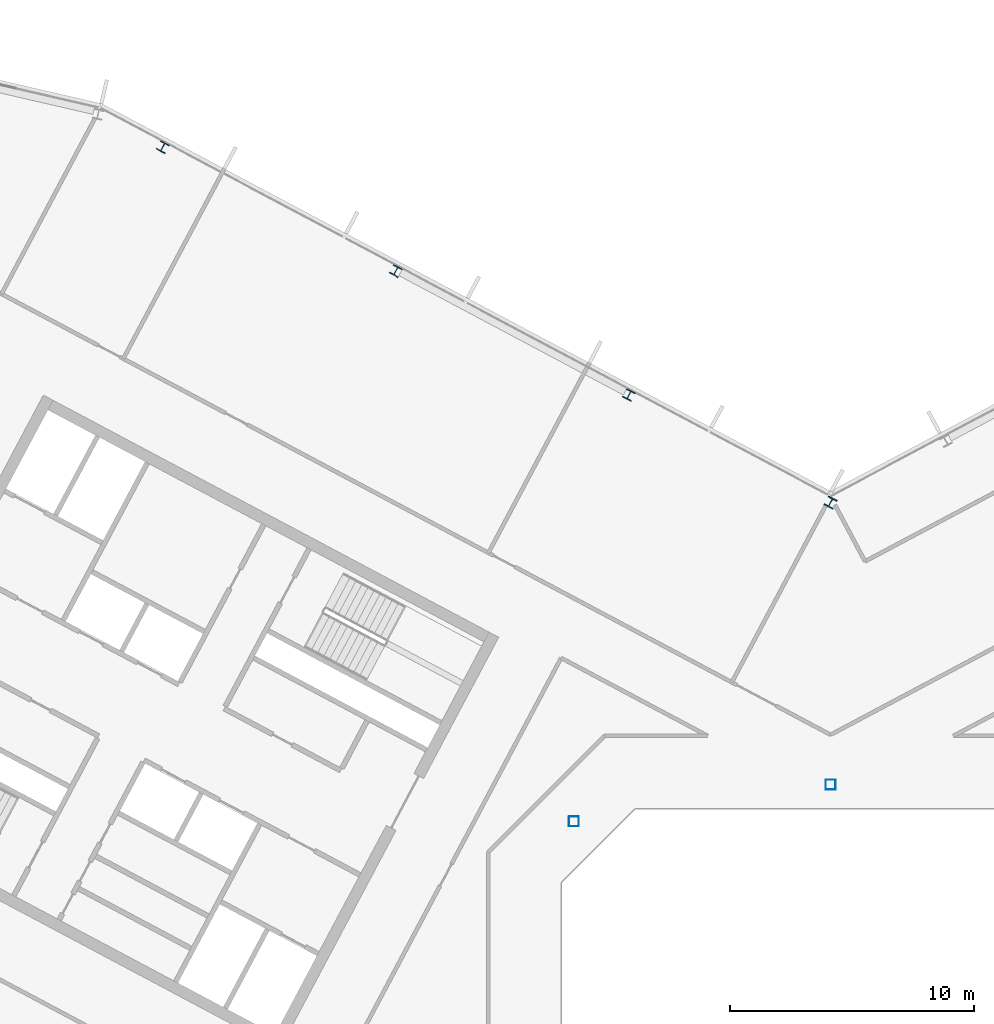
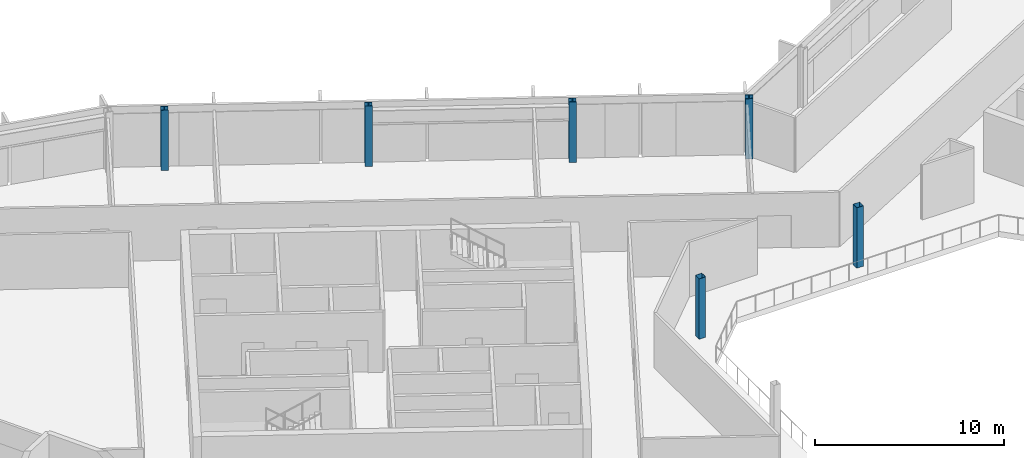
# One storey, part 4 of 26: 6 columns.
"""IFC4 building model written with IfcOpenShell, lengths in metres."""

from ifc_helpers import new_model, si_unit, direction, frame, origin, origin_2d, place, context, subcontext, project, spatial, hollow_rectangle, i_section, extrude, material, material_profile, profile_set, type_object, element, save


model = new_model("IFC4")

# Units and contexts
model_context = context("Model", 3, precision=1e-05, world=origin(), true_north=direction((0.0, 1.0)))
body_context = subcontext(model_context, "Body", "Model", "MODEL_VIEW")
ifc_project = project(units=[si_unit("LENGTHUNIT", "METRE"), si_unit("AREAUNIT", "SQUARE_METRE"), si_unit("VOLUMEUNIT", "CUBIC_METRE"), si_unit("PLANEANGLEUNIT", "RADIAN"), si_unit("MASSUNIT", "GRAM", prefix="KILO")], contexts=[model_context])

# Site, building, storey
site_placement = place(None, origin())
site = spatial("IfcSite", under=ifc_project, at=site_placement, CompositionType="ELEMENT")
building_placement = place(site_placement, origin())
building = spatial("IfcBuilding", under=site, at=building_placement, Name="Cormorant Relay Tower", CompositionType="ELEMENT")
storey_placement = place(building_placement, frame((0.0, 0.0, 269.699951171875)))
storey = spatial("IfcBuildingStorey", under=building, at=storey_placement, Name="L60", CompositionType="ELEMENT", Elevation=269.699951171875)

# Columns
ifc_material_1 = material(Name="Steel ASTM A500 Grade C (Fy 345 MPa)", Category="steel")
ifc_material_profile_1 = material_profile(ifc_material_1, hollow_rectangle(XDim=0.406494140625, YDim=0.406494140625, WallThickness=0.0087890625, InnerFilletRadius=0.00439453125, OuterFilletRadius=0.01318359375, at=origin_2d()), Name="HSS406x406x9")
ifc_profile_set_1 = profile_set([ifc_material_profile_1], Name="Steel ASTM A500 Grade C (Fy 345 MPa)")
column_type_1 = type_object("IfcColumnType", Name="Column HSS406x406x9", PredefinedType="COLUMN", material=ifc_profile_set_1)
for number, where, z_axis, x_axis, name in (
    (1, (-10.5, 10.5, 0.0), (0.0, 0.0, 1.0), (1.0, 0.0, 0.0), "Column L60-023"),
    (2, (0.0, 12.0, 0.0), (0.0, 0.0, 1.0), (1.0, 0.0, 0.0), "Column L60-025"),
):
    element("IfcColumn", number, at=place(storey_placement, frame(where, z_axis=z_axis, x_axis=x_axis)), inside=storey, type_object=column_type_1, Name=name, PredefinedType="COLUMN", context=body_context, shape_type="SweptSolid", body=[
        extrude(hollow_rectangle(XDim=0.406494140625, YDim=0.406494140625, WallThickness=0.0087890625, InnerFilletRadius=0.00439453125, OuterFilletRadius=0.01318359375, at=origin_2d()), origin(), (0.0, 0.0, 1.0), 3.900146484375),
    ])
ifc_material_2 = material(Name="Steel ASTM A992 (Fy 345 MPa)", Category="steel")
ifc_material_profile_2 = material_profile(ifc_material_2, i_section(OverallWidth=0.398681640625, OverallDepth=0.385986328125, WebThickness=0.02099609375, FlangeThickness=0.033203125, FilletRadius=0.01513671875, at=origin_2d()), Name="W360x262")
ifc_profile_set_2 = profile_set([ifc_material_profile_2], Name="Steel ASTM A992 (Fy 345 MPa)")
column_type_2 = type_object("IfcColumnType", Name="Column W360x262", PredefinedType="COLUMN", material=ifc_profile_set_2)
for number, where, z_axis, x_axis, name in (
    (3, (-8.2470703125, 27.943115234375, 0.0), (0.0, 0.0, 1.0), (-0.882947592859, 0.469471562786, 0.0), "Column L60-032"),
    (4, (-17.782958984375, 33.012939453125, 0.0), (0.0, 0.0, 1.0), (-0.882947592859, 0.469471562786, 0.0), "Column L60-036"),
    (5, (-27.319091796875, 38.0830078125, 0.0), (0.0, 0.0, 1.0), (-0.882947592859, 0.469471562786, 0.0), "Column L60-040"),
):
    element("IfcColumn", number, at=place(storey_placement, frame(where, z_axis=z_axis, x_axis=x_axis)), inside=storey, type_object=column_type_2, Name=name, PredefinedType="COLUMN", context=body_context, shape_type="SweptSolid", body=[
        extrude(i_section(OverallWidth=0.398681640625, OverallDepth=0.385986328125, WebThickness=0.02099609375, FlangeThickness=0.033203125, FilletRadius=0.01513671875, at=origin_2d()), origin(), (0.0, 0.0, 1.0), 3.900146484375),
    ])
ifc_material_3 = material(Name="Steel ASTM A992 (Fy 345 MPa)", Category="steel")
ifc_material_profile_3 = material_profile(ifc_material_3, i_section(OverallWidth=0.40380859375, OverallDepth=0.406494140625, WebThickness=0.027099609375, FlangeThickness=0.043701171875, FilletRadius=0.01513671875, at=origin_2d()), Name="W360x347")
ifc_profile_set_3 = profile_set([ifc_material_profile_3], Name="Steel ASTM A992 (Fy 345 MPa)")
column_type_3 = type_object("IfcColumnType", Name="Column W360x347", PredefinedType="COLUMN", material=ifc_profile_set_3)
column_placement = place(storey_placement, frame((0.0, 23.5439453125, 0.0), z_axis=(0.0, 0.0, 1.0), x_axis=(-0.882947592859, 0.469471562786, 0.0)))
element("IfcColumn", 6, at=column_placement, inside=storey, type_object=column_type_3, Name="Column L60-029", PredefinedType="COLUMN", context=body_context, shape_type="SweptSolid", body=[
    extrude(i_section(OverallWidth=0.40380859375, OverallDepth=0.406494140625, WebThickness=0.027099609375, FlangeThickness=0.043701171875, FilletRadius=0.01513671875, at=origin_2d()), origin(), (0.0, 0.0, 1.0), 3.900146484375),
])

save(model, "model.ifc")
